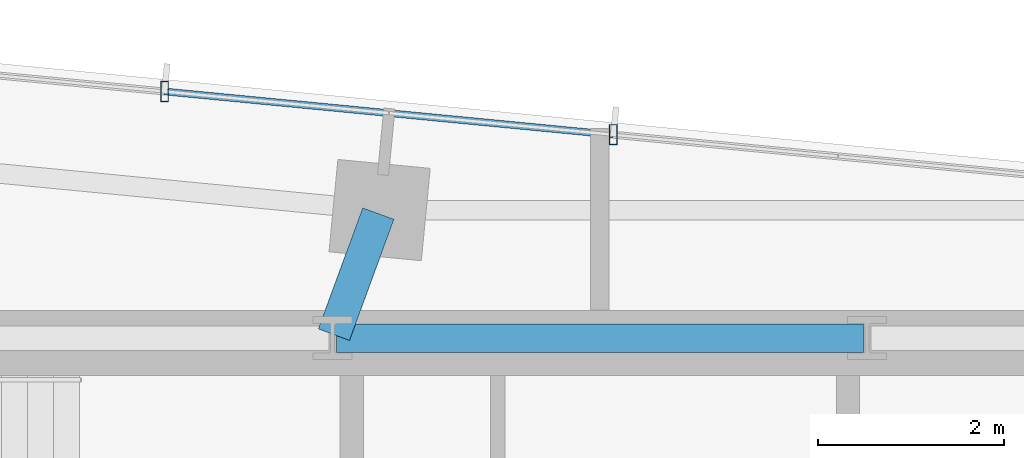
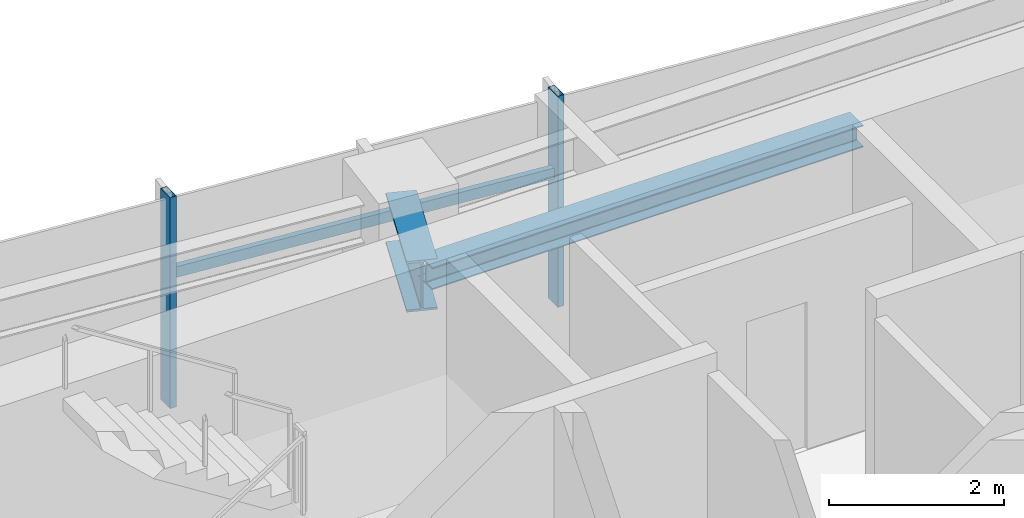
# One storey, part 8 of 20: 3 members, 2 beams, 1 element without a shape of its own.
"""IFC4 building model written with IfcOpenShell, lengths in metres."""

from ifc_helpers import new_model, si_unit, direction, frame, origin, origin_2d, place, context, subcontext, project, spatial, hollow_rectangle, i_section, extrude, source, transform, mapped, material, material_profile, profile_set, type_object, type_shapes, element, aggregate, save


model = new_model("IFC4")

# Units and contexts
model_context = context("Model", 3, precision=1e-05, world=origin(), true_north=direction((0.0, 1.0)))
body_context = subcontext(model_context, "Body", "Model", "MODEL_VIEW")
ifc_project = project(units=[si_unit("LENGTHUNIT", "METRE"), si_unit("AREAUNIT", "SQUARE_METRE"), si_unit("VOLUMEUNIT", "CUBIC_METRE"), si_unit("PLANEANGLEUNIT", "RADIAN"), si_unit("MASSUNIT", "GRAM", prefix="KILO")], contexts=[model_context])

# Site, building, storey
site_placement = place(None, origin())
site = spatial("IfcSite", under=ifc_project, at=site_placement, CompositionType="ELEMENT")
building_placement = place(site_placement, origin())
building = spatial("IfcBuilding", under=site, at=building_placement, Name="Astriad Promenade Condominiums", CompositionType="ELEMENT")
storey_placement = place(building_placement, frame((0.0, 0.0, 156.60009765625)))
storey = spatial("IfcBuildingStorey", under=building, at=storey_placement, Name="L45", CompositionType="ELEMENT", Elevation=156.60009765625)

# Beams
ifc_material_1 = material(Name="Steel ASTM A992 Grade 50", Category="steel")
ifc_material_profile_1 = material_profile(ifc_material_1, i_section(OverallWidth=0.3046875, OverallDepth=0.307861328125, WebThickness=0.010009765625, FlangeThickness=0.015380859375, FilletRadius=0.01513671875, at=origin_2d()), Name="W12X65")
ifc_profile_set_1 = profile_set([ifc_material_profile_1], Name="Steel ASTM A992 Grade 50")
beam_type_1 = type_object("IfcBeamType", Name="STEEL OPENING LINTEL W12X65", PredefinedType="LINTEL", material=ifc_profile_set_1)
shared_shape_1 = source(origin(), body_context, "Body", "SweptSolid", [
    extrude(i_section(OverallWidth=0.3046875, OverallDepth=0.307861328125, WebThickness=0.010009765625, FlangeThickness=0.015380859375, FilletRadius=0.01513671875, at=origin_2d()), origin(), (0.0, 0.0, 1.0), 5.68017578125),
])
type_shapes(beam_type_1, [shared_shape_1])
beam_1_placement = place(storey_placement, frame((33.159912109375, 24.0, 2.785888671875), z_axis=(1.0, 0.0, 0.0), x_axis=(0.0, 1.0, 0.0)))
element("IfcBeam", 1, at=beam_1_placement, inside=storey, type_object=beam_type_1, Name="Core Ring Beam CG-N2-L45", PredefinedType="LINTEL", context=body_context, shape_type="MappedRepresentation", body=[
    mapped(shared_shape_1, transform((0.0, 0.0, 0.0), scale=1.0)),
])
ifc_material_profile_2 = material_profile(ifc_material_1, i_section(OverallWidth=0.35791015625, OverallDepth=0.706298828125, WebThickness=0.018310546875, FlangeThickness=0.0302734375, FilletRadius=0.020263671875, at=origin_2d()), Name="W27X178")
ifc_profile_set_2 = profile_set([ifc_material_profile_2], Name="Steel ASTM A992 Grade 50")
beam_type_2 = type_object("IfcBeamType", Name="STEEL FLOOR GIRDER W27X178", PredefinedType="BEAM", material=ifc_profile_set_2)
shared_shape_2 = source(origin(), body_context, "Body", "SweptSolid", [
    extrude(i_section(OverallWidth=0.35791015625, OverallDepth=0.706298828125, WebThickness=0.018310546875, FlangeThickness=0.0302734375, FilletRadius=0.020263671875, at=origin_2d()), origin(), (0.0, 0.0, 1.0), 1.39013671875),
])
type_shapes(beam_type_2, [shared_shape_2])
beam_2_placement = place(storey_placement, frame((33.6123046875, 25.3427734375, 2.586669921875), z_axis=(-0.344223686797, -0.938887668173, 0.0), x_axis=(0.938887668173, -0.344223686797, 0.0)))
element("IfcBeam", 2, at=beam_2_placement, inside=storey, type_object=beam_type_2, Name="Primary Floor Girder PG-NC-L45", PredefinedType="BEAM", context=body_context, shape_type="MappedRepresentation", body=[
    mapped(shared_shape_2, transform((0.0, 0.0, 0.0), scale=1.0)),
])

# Curtain wall, members
ifc_material_2 = material(Name="Anodised aluminium Black Dark Glass Unitised", Category="aluminium")
curtain_wall_type = type_object("IfcCurtainWallType", Name="CW-B34-DARK", PredefinedType="USERDEFINED", material=ifc_material_2)
curtain_wall_placement = place(storey_placement, origin())
curtain_wall = element("IfcCurtainWall", 3, at=curtain_wall_placement, inside=storey, type_object=curtain_wall_type, Name="CW-L45-N", ObjectType="UNITISED_CURTAIN_WALL", PredefinedType="USERDEFINED")
ifc_material_3 = material(Name="Anodised aluminium 6063-T6 Black", Category="aluminium")
ifc_material_profile_3 = material_profile(ifc_material_3, hollow_rectangle(XDim=0.0849609375, YDim=0.219970703125, WallThickness=0.0048828125, at=origin_2d()), Name="ALU-MUL-85X220")
ifc_profile_set_3 = profile_set([ifc_material_profile_3], Name="Anodised aluminium 6063-T6 Black")
member_type_1 = type_object("IfcMemberType", Name="MUL-ALU-MUL-85X220", PredefinedType="MULLION", material=ifc_profile_set_3)
shared_shape_3 = source(origin(), body_context, "Body", "SweptSolid", [
    extrude(hollow_rectangle(XDim=0.0849609375, YDim=0.219970703125, WallThickness=0.0048828125, at=origin_2d()), origin(), (0.0, 0.0, 1.0), 2.93994140625),
])
type_shapes(member_type_1, [shared_shape_3])
member_1_placement = place(storey_placement, frame((31.30810546875, 26.658447265625, 0.0), z_axis=(0.0, 0.0, 1.0), x_axis=(1.0, 0.0, 0.0)))
member_1 = element("IfcMember", 4, at=member_1_placement, type_object=member_type_1, Name="CW-L45-N-MUL-01", PredefinedType="MULLION", context=body_context, shape_type="MappedRepresentation", body=[
    mapped(shared_shape_3, transform((0.0, 0.0, 0.0), scale=1.0)),
])
member_2_placement = place(storey_placement, frame((36.145751953125, 26.1923828125, 0.0), z_axis=(0.0, 0.0, 1.0), x_axis=(1.0, 0.0, 0.0)))
member_2 = element("IfcMember", 5, at=member_2_placement, type_object=member_type_1, Name="CW-L45-N-MUL-02", PredefinedType="MULLION", context=body_context, shape_type="MappedRepresentation", body=[
    mapped(shared_shape_3, transform((0.0, 0.0, 0.0), scale=1.0)),
])
ifc_material_profile_4 = material_profile(ifc_material_3, hollow_rectangle(XDim=0.074951171875, YDim=0.14990234375, WallThickness=0.004150390625, at=origin_2d()), Name="ALU-TRN-75X150")
ifc_profile_set_4 = profile_set([ifc_material_profile_4], Name="Anodised aluminium 6063-T6 Black")
member_type_2 = type_object("IfcMemberType", Name="TRN-ALU-TRN-75X150", PredefinedType="USERDEFINED", material=ifc_profile_set_4)
shared_shape_4 = source(origin(), body_context, "Body", "SweptSolid", [
    extrude(hollow_rectangle(XDim=0.074951171875, YDim=0.14990234375, WallThickness=0.004150390625, at=origin_2d()), origin(), (0.0, 0.0, 1.0), 4.860107421875),
])
type_shapes(member_type_2, [shared_shape_4])
member_3_placement = place(storey_placement, frame((31.30810546875, 26.658447265625, 1.82275390625), z_axis=(0.995391248663, -0.09589714326, 0.0), x_axis=(0.09589714326, 0.995391248663, 0.0)))
member_3 = element("IfcMember", 6, at=member_3_placement, type_object=member_type_2, Name="CW-L45-N-TRN-01-0", ObjectType="TRANSOM", PredefinedType="USERDEFINED", context=body_context, shape_type="MappedRepresentation", body=[
    mapped(shared_shape_4, transform((0.0, 0.0, 0.0), scale=1.0)),
])
aggregate(curtain_wall, [member_1, member_2, member_3])

save(model, "model.ifc")
